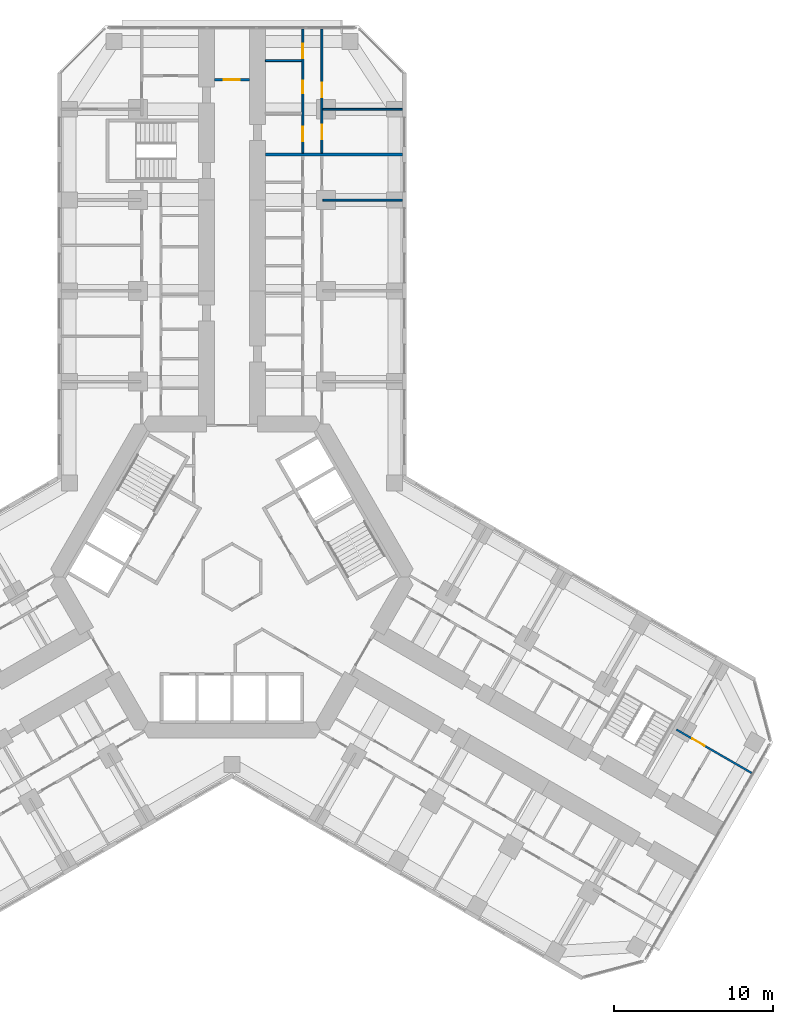
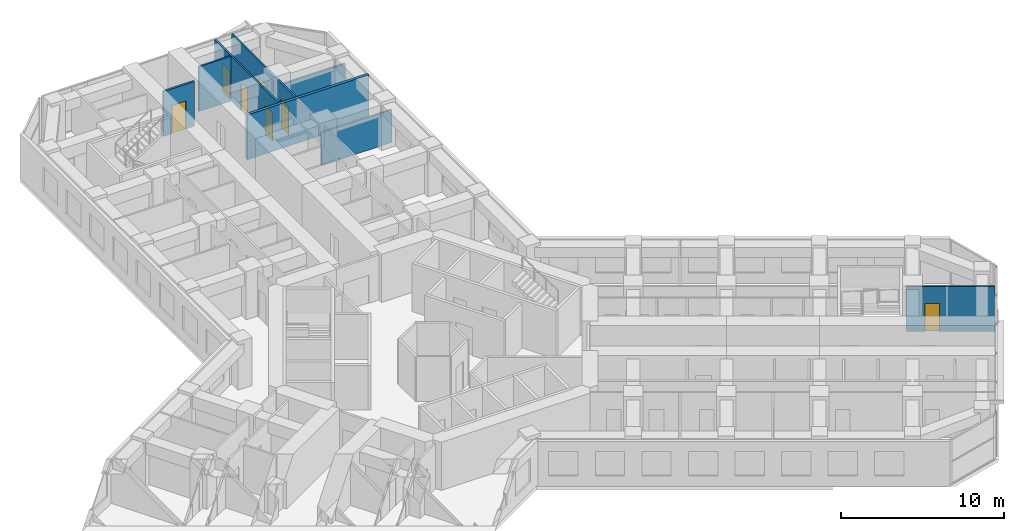
# One storey, part 19 of 21: 8 walls, 7 doors, 7 openings.
"""IFC4 building model written with IfcOpenShell, lengths in metres."""

from ifc_helpers import new_model, si_unit, direction, frame, frame_2d, origin, place, context, subcontext, project, spatial, rectangle, extrude, material, layer, layer_set, type_object, element, fill, save


model = new_model("IFC4")

# Units and contexts
model_context = context("Model", 3, precision=1e-05, world=origin(), true_north=direction((0.0, 1.0)))
body_context = subcontext(model_context, "Body", "Model", "MODEL_VIEW")
ifc_project = project(units=[si_unit("LENGTHUNIT", "METRE"), si_unit("AREAUNIT", "SQUARE_METRE"), si_unit("VOLUMEUNIT", "CUBIC_METRE"), si_unit("PLANEANGLEUNIT", "RADIAN"), si_unit("MASSUNIT", "GRAM", prefix="KILO")], contexts=[model_context])

# Site, building, storey
site_placement = place(None, origin())
site = spatial("IfcSite", under=ifc_project, at=site_placement, CompositionType="ELEMENT")
building_placement = place(site_placement, origin())
building = spatial("IfcBuilding", under=site, at=building_placement, Name="Kosmar Iwan School Tower", CompositionType="ELEMENT")
storey_placement = place(building_placement, frame((0.0, 0.0, 71.800048828125)))
storey = spatial("IfcBuildingStorey", under=building, at=storey_placement, Name="L17", CompositionType="ELEMENT", Elevation=71.800048828125)

# Wall, opening, door
ifc_material_1 = material(Name="Gypsum board on steel studs, fire-rated", Category="steel")
ifc_layer_1 = layer(ifc_material_1, 0.14990234375)
ifc_layer_set_1 = layer_set([ifc_layer_1], Name="Corridor end wall 150")
wall_type_1 = type_object("IfcWallType", Name="Corridor end wall 150", PredefinedType="PARTITIONING", material=ifc_layer_set_1)
wall_1_placement = place(storey_placement, frame((1.10009765625, 31.199951171875, 0.0), z_axis=(0.0, 0.0, 1.0), x_axis=(-1.0, 0.0, 0.0)))
wall_1 = element("IfcWall", 1, at=wall_1_placement, inside=storey, type_object=wall_type_1, Name="Partition L17-A-CE", PredefinedType="PARTITIONING", context=body_context, shape_type="SweptSolid", body=[
    extrude(rectangle(XDim=2.2001953125, YDim=0.14990234375, at=frame_2d((1.10009765625, 0.0))), origin(), (0.0, 0.0, 1.0), 3.349853515625),
])
opening_1_placement = place(wall_1_placement, frame((0.60009765625, 0.0, 0.0)))
opening_1 = element("IfcOpeningElement", 2, at=opening_1_placement, cuts=wall_1, Name="Opening D13", PredefinedType="OPENING", context=body_context, shape_type="SweptSolid", body=[
    extrude(rectangle(XDim=1.0, YDim=2.10009765625, at=frame_2d((0.5, 1.050048828125))), frame((0.0, 0.0869140625, 0.0), z_axis=(0.0, -1.0, 0.0), x_axis=(1.0, 0.0, 0.0)), (0.0, 0.0, 1.0), 0.173828125),
])
ifc_material_2 = material(Name="Timber fire door with vision panel", Category="wood")
door_type_1 = type_object("IfcDoorType", Name="Corridor end door 1000x2100", OperationType="SINGLE_SWING_LEFT", PredefinedType="DOOR", material=ifc_material_2)
door_1_placement = place(opening_1_placement, origin())
door_1 = element("IfcDoor", 3, at=door_1_placement, inside=storey, type_object=door_type_1, Name="Family study room door L17-A", OperationType="SINGLE_SWING_RIGHT", OverallHeight=2.10009765625, OverallWidth=1.0, PredefinedType="DOOR", context=body_context, shape_type="SweptSolid", body=[
    extrude(rectangle(XDim=1.0, YDim=2.10009765625, at=frame_2d((0.5, 1.050048828125))), frame((0.0, 0.02490234375, 0.0), z_axis=(0.0, -1.0, 0.0), x_axis=(1.0, 0.0, 0.0)), (0.0, 0.0, 1.0), 0.050048828125),
])
fill(opening_1, door_1)

# Wall
ifc_material_3 = material(Name="Gypsum board on steel studs", Category="steel")
ifc_layer_2 = layer(ifc_material_3, 0.1201171875)
ifc_layer_set_2 = layer_set([ifc_layer_2], Name="Dwelling partition 120")
wall_type_2 = type_object("IfcWallType", Name="Dwelling partition 120", PredefinedType="PARTITIONING", material=ifc_layer_set_2)
wall_2_placement = place(storey_placement, frame((5.7099609375, 23.64990234375, 0.0), z_axis=(0.0, 0.0, 1.0), x_axis=(1.0, 0.0, 0.0)))
element("IfcWall", 4, at=wall_2_placement, inside=storey, type_object=wall_type_2, Name="Partition L17-AR1-X3", PredefinedType="PARTITIONING", context=body_context, shape_type="SweptSolid", body=[
    extrude(rectangle(XDim=4.989990234375, YDim=0.1201171875, at=frame_2d((2.4951171875, 0.0))), origin(), (0.0, 0.0, 1.0), 2.449951171875),
])

# Wall, openings, doors
wall_3_placement = place(storey_placement, frame((4.449951171875, 26.60009765625, 0.0), z_axis=(0.0, 0.0, 1.0), x_axis=(0.0, 1.0, 0.0)))
wall_3 = element("IfcWall", 5, at=wall_3_placement, inside=storey, type_object=wall_type_2, Name="Partition L17-AR2-W1", PredefinedType="PARTITIONING", context=body_context, shape_type="SweptSolid", body=[
    extrude(rectangle(XDim=7.794921875, YDim=0.1201171875, at=frame_2d((3.8974609375, 0.0))), origin(), (0.0, 0.0, 1.0), 3.349853515625),
])
opening_2_placement = place(wall_3_placement, frame((0.75, 0.0, 0.0)))
opening_2 = element("IfcOpeningElement", 6, at=opening_2_placement, cuts=wall_3, Name="Opening D2", PredefinedType="OPENING", context=body_context, shape_type="SweptSolid", body=[
    extrude(rectangle(XDim=0.89990234375, YDim=2.10009765625, at=frame_2d((0.449951171875, 1.050048828125))), frame((0.0, 0.072021484375, 0.0), z_axis=(0.0, -1.0, 0.0), x_axis=(1.0, 0.0, 0.0)), (0.0, 0.0, 1.0), 0.14404296875),
])
opening_3_placement = place(wall_3_placement, frame((3.75, 0.0, 0.0)))
opening_3 = element("IfcOpeningElement", 7, at=opening_3_placement, cuts=wall_3, Name="Opening D3", PredefinedType="OPENING", context=body_context, shape_type="SweptSolid", body=[
    extrude(rectangle(XDim=0.800048828125, YDim=2.10009765625, at=frame_2d((0.39990234375, 1.050048828125))), frame((0.0, 0.072021484375, 0.0), z_axis=(0.0, -1.0, 0.0), x_axis=(1.0, 0.0, 0.0)), (0.0, 0.0, 1.0), 0.14404296875),
])
opening_4_placement = place(wall_3_placement, frame((5.9599609375, 0.0, 0.0)))
opening_4 = element("IfcOpeningElement", 8, at=opening_4_placement, cuts=wall_3, Name="Opening D2", PredefinedType="OPENING", context=body_context, shape_type="SweptSolid", body=[
    extrude(rectangle(XDim=0.89990234375, YDim=2.10009765625, at=frame_2d((0.449951171875, 1.050048828125))), frame((0.0, 0.072021484375, 0.0), z_axis=(0.0, -1.0, 0.0), x_axis=(1.0, 0.0, 0.0)), (0.0, 0.0, 1.0), 0.14404296875),
])
ifc_material_4 = material(Name="Timber door in timber frame", Category="wood")
door_type_2 = type_object("IfcDoorType", Name="Internal door 900x2100", OperationType="SINGLE_SWING_LEFT", PredefinedType="DOOR", material=ifc_material_4)
door_2_placement = place(opening_2_placement, origin())
door_2 = element("IfcDoor", 9, at=door_2_placement, inside=storey, type_object=door_type_2, Name="Entrance hall door L17-AR2-S1", OperationType="SINGLE_SWING_RIGHT", OverallHeight=2.10009765625, OverallWidth=0.89990234375, PredefinedType="DOOR", context=body_context, shape_type="SweptSolid", body=[
    extrude(rectangle(XDim=0.89990234375, YDim=2.10009765625, at=frame_2d((0.449951171875, 1.050048828125))), frame((0.0, 0.02490234375, 0.0), z_axis=(0.0, -1.0, 0.0), x_axis=(1.0, 0.0, 0.0)), (0.0, 0.0, 1.0), 0.050048828125),
])
fill(opening_2, door_2)
door_3_placement = place(opening_4_placement, origin())
door_3 = element("IfcDoor", 10, at=door_3_placement, inside=storey, type_object=door_type_2, Name="Pantry door L17-AR2-S3", OperationType="SINGLE_SWING_LEFT", OverallHeight=2.10009765625, OverallWidth=0.89990234375, PredefinedType="DOOR", context=body_context, shape_type="SweptSolid", body=[
    extrude(rectangle(XDim=0.89990234375, YDim=2.10009765625, at=frame_2d((0.449951171875, 1.050048828125))), frame((0.0, 0.02490234375, 0.0), z_axis=(0.0, -1.0, 0.0), x_axis=(1.0, 0.0, 0.0)), (0.0, 0.0, 1.0), 0.050048828125),
])
fill(opening_4, door_3)
ifc_material_5 = material(Name="Timber door in timber frame", Category="wood")
door_type_3 = type_object("IfcDoorType", Name="Sanitary room door 800x2100", OperationType="SINGLE_SWING_LEFT", PredefinedType="DOOR", material=ifc_material_5)
door_4_placement = place(opening_3_placement, origin())
door_4 = element("IfcDoor", 11, at=door_4_placement, inside=storey, type_object=door_type_3, Name="Bathroom door L17-AR2-S2", OperationType="SINGLE_SWING_LEFT", OverallHeight=2.10009765625, OverallWidth=0.800048828125, PredefinedType="DOOR", context=body_context, shape_type="SweptSolid", body=[
    extrude(rectangle(XDim=0.800048828125, YDim=2.10009765625, at=frame_2d((0.39990234375, 1.050048828125))), frame((0.0, 0.02490234375, 0.0), z_axis=(0.0, -1.0, 0.0), x_axis=(1.0, 0.0, 0.0)), (0.0, 0.0, 1.0), 0.050048828125),
])
fill(opening_3, door_4)

wall_4_placement = place(storey_placement, frame((5.64990234375, 26.60009765625, 0.0), z_axis=(0.0, 0.0, 1.0), x_axis=(0.0, 1.0, 0.0)))
wall_4 = element("IfcWall", 12, at=wall_4_placement, inside=storey, type_object=wall_type_2, Name="Partition L17-AR2-W2", PredefinedType="PARTITIONING", context=body_context, shape_type="SweptSolid", body=[
    extrude(rectangle(XDim=7.794921875, YDim=0.1201171875, at=frame_2d((3.8974609375, 0.0))), origin(), (0.0, 0.0, 1.0), 3.349853515625),
])
opening_5_placement = place(wall_4_placement, frame((0.875, 0.0, 0.0)))
opening_5 = element("IfcOpeningElement", 13, at=opening_5_placement, cuts=wall_4, Name="Opening D2", PredefinedType="OPENING", context=body_context, shape_type="SweptSolid", body=[
    extrude(rectangle(XDim=0.89990234375, YDim=2.10009765625, at=frame_2d((0.449951171875, 1.050048828125))), frame((0.0, 0.072021484375, 0.0), z_axis=(0.0, -1.0, 0.0), x_axis=(1.0, 0.0, 0.0)), (0.0, 0.0, 1.0), 0.14404296875),
])
opening_6_placement = place(wall_4_placement, frame((3.5, 0.0, 0.0)))
opening_6 = element("IfcOpeningElement", 14, at=opening_6_placement, cuts=wall_4, Name="Opening D2", PredefinedType="OPENING", context=body_context, shape_type="SweptSolid", body=[
    extrude(rectangle(XDim=0.89990234375, YDim=2.10009765625, at=frame_2d((0.449951171875, 1.050048828125))), frame((0.0, 0.072021484375, 0.0), z_axis=(0.0, -1.0, 0.0), x_axis=(1.0, 0.0, 0.0)), (0.0, 0.0, 1.0), 0.14404296875),
])
door_5_placement = place(opening_5_placement, origin())
door_5 = element("IfcDoor", 15, at=door_5_placement, inside=storey, type_object=door_type_2, Name="Bedroom 1 door L17-AR2-F1", OperationType="SINGLE_SWING_LEFT", OverallHeight=2.10009765625, OverallWidth=0.89990234375, PredefinedType="DOOR", context=body_context, shape_type="SweptSolid", body=[
    extrude(rectangle(XDim=0.89990234375, YDim=2.10009765625, at=frame_2d((0.449951171875, 1.050048828125))), frame((0.0, 0.02490234375, 0.0), z_axis=(0.0, -1.0, 0.0), x_axis=(1.0, 0.0, 0.0)), (0.0, 0.0, 1.0), 0.050048828125),
])
fill(opening_5, door_5)
door_6_placement = place(opening_6_placement, origin())
door_6 = element("IfcDoor", 16, at=door_6_placement, inside=storey, type_object=door_type_2, Name="Living room and kitchen door L17-AR2-F2", OperationType="SINGLE_SWING_RIGHT", OverallHeight=2.10009765625, OverallWidth=0.89990234375, PredefinedType="DOOR", context=body_context, shape_type="SweptSolid", body=[
    extrude(rectangle(XDim=0.89990234375, YDim=2.10009765625, at=frame_2d((0.449951171875, 1.050048828125))), frame((0.0, 0.02490234375, 0.0), z_axis=(0.0, -1.0, 0.0), x_axis=(1.0, 0.0, 0.0)), (0.0, 0.0, 1.0), 0.050048828125),
])
fill(opening_6, door_6)

# Walls
wall_5_placement = place(storey_placement, frame((5.7099609375, 29.35009765625, 0.0), z_axis=(0.0, 0.0, 1.0), x_axis=(1.0, 0.0, 0.0)))
element("IfcWall", 17, at=wall_5_placement, inside=storey, type_object=wall_type_2, Name="Partition L17-AR2-X1", PredefinedType="PARTITIONING", context=body_context, shape_type="SweptSolid", body=[
    extrude(rectangle(XDim=4.989990234375, YDim=0.1201171875, at=frame_2d((2.4951171875, 0.0))), origin(), (0.0, 0.0, 1.0), 2.449951171875),
])
wall_6_placement = place(storey_placement, frame((2.10009765625, 32.39990234375, 0.0), z_axis=(0.0, 0.0, 1.0), x_axis=(1.0, 0.0, 0.0)))
element("IfcWall", 18, at=wall_6_placement, inside=storey, type_object=wall_type_2, Name="Partition L17-AR2-Y2", PredefinedType="PARTITIONING", context=body_context, shape_type="SweptSolid", body=[
    extrude(rectangle(XDim=2.289794921875, YDim=0.1201171875, at=frame_2d((1.14501953125, 0.0))), origin(), (0.0, 0.0, 1.0), 3.349853515625),
])

# Wall, opening, door
wall_7_placement = place(storey_placement, frame((27.896484375, -9.58203125, 0.0), z_axis=(0.0, 0.0, 1.0), x_axis=(0.866035508231, -0.499982498177, 0.0)))
wall_7 = element("IfcWall", 19, at=wall_7_placement, inside=storey, type_object=wall_type_2, Name="Partition L17-CL2-TW", PredefinedType="PARTITIONING", context=body_context, shape_type="SweptSolid", body=[
    extrude(rectangle(XDim=5.445068359375, YDim=0.1201171875, at=frame_2d((2.72265625, 0.0))), origin(), (0.0, 0.0, 1.0), 3.349853515625),
])
opening_7_placement = place(wall_7_placement, frame((1.14990234375, 0.0, 0.0)))
opening_7 = element("IfcOpeningElement", 20, at=opening_7_placement, cuts=wall_7, Name="Opening D2", PredefinedType="OPENING", context=body_context, shape_type="SweptSolid", body=[
    extrude(rectangle(XDim=0.89990234375, YDim=2.10009765625, at=frame_2d((0.449951171875, 1.050048828125))), frame((0.0, 0.072021484375, 0.0), z_axis=(0.0, -1.0, 0.0), x_axis=(1.0, 0.0, 0.0)), (0.0, 0.0, 1.0), 0.14404296875),
])
door_7_placement = place(opening_7_placement, origin())
door_7 = element("IfcDoor", 21, at=door_7_placement, inside=storey, type_object=door_type_2, Name="Entrance hall door L17-CL2-T3", OperationType="SINGLE_SWING_LEFT", OverallHeight=2.10009765625, OverallWidth=0.89990234375, PredefinedType="DOOR", context=body_context, shape_type="SweptSolid", body=[
    extrude(rectangle(XDim=0.89990234375, YDim=2.10009765625, at=frame_2d((0.449951171875, 1.050048828125))), frame((0.0, 0.02490234375, 0.0), z_axis=(0.0, -1.0, 0.0), x_axis=(1.0, 0.0, 0.0)), (0.0, 0.0, 1.0), 0.050048828125),
])
fill(opening_7, door_7)

# Wall
ifc_material_6 = material(Name="Concrete block masonry", Category="masonry")
ifc_layer_3 = layer(ifc_material_6, 0.199951171875)
ifc_layer_set_3 = layer_set([ifc_layer_3], Name="Party wall 200")
wall_type_3 = type_object("IfcWallType", Name="Party wall 200", PredefinedType="PARTITIONING", material=ifc_layer_set_3)
wall_8_placement = place(storey_placement, frame((2.10009765625, 26.5, 0.0), z_axis=(0.0, 0.0, 1.0), x_axis=(1.0, 0.0, 0.0)))
element("IfcWall", 22, at=wall_8_placement, inside=storey, type_object=wall_type_3, Name="Partition L17-AR2-PW", PredefinedType="PARTITIONING", context=body_context, shape_type="SweptSolid", body=[
    extrude(rectangle(XDim=8.599853515625, YDim=0.199951171875, at=frame_2d((4.2998046875, 0.0))), origin(), (0.0, 0.0, 1.0), 3.349853515625),
])

save(model, "model.ifc")
